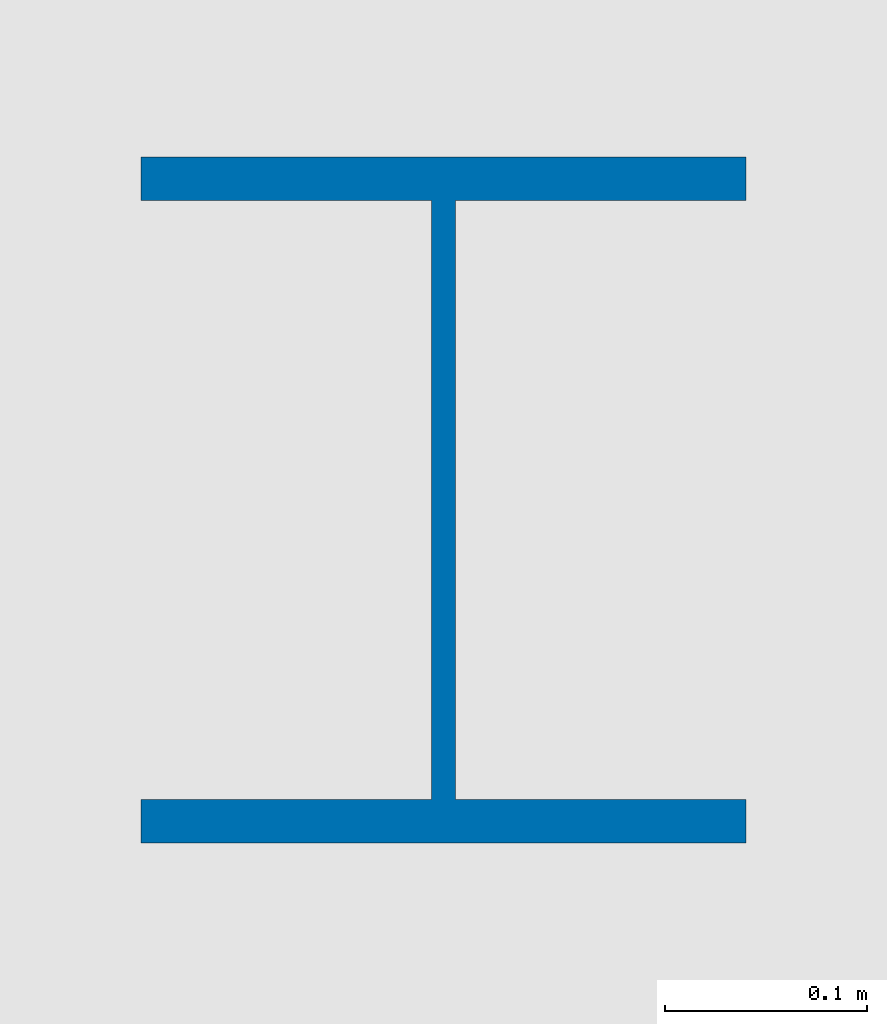
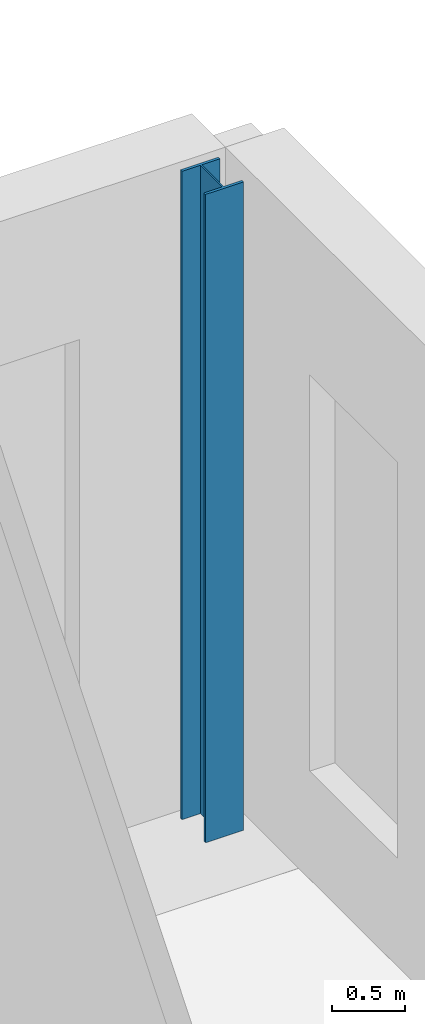
# One storey, part 48 of 132: 1 column.
"""IFC4 building model written with IfcOpenShell, lengths in metres."""

from ifc_helpers import new_model, si_unit, direction, frame, origin, origin_2d, place, context, subcontext, project, spatial, i_section, extrude, material, material_profile, profile_set, type_object, element, save


model = new_model("IFC4")

# Units and contexts
model_context = context("Model", 3, precision=1e-05, world=origin(), true_north=direction((0.0, 1.0)))
body_context = subcontext(model_context, "Body", "Model", "MODEL_VIEW")
ifc_project = project(units=[si_unit("LENGTHUNIT", "METRE"), si_unit("AREAUNIT", "SQUARE_METRE"), si_unit("VOLUMEUNIT", "CUBIC_METRE"), si_unit("PLANEANGLEUNIT", "RADIAN"), si_unit("MASSUNIT", "GRAM", prefix="KILO")], contexts=[model_context])

# Site, building, storey
site_placement = place(None, origin())
site = spatial("IfcSite", under=ifc_project, at=site_placement, CompositionType="ELEMENT")
building_placement = place(site_placement, origin())
building = spatial("IfcBuilding", under=site, at=building_placement, Name="Ravi Spectrum Wholesale Market", CompositionType="ELEMENT")
storey_placement = place(building_placement, origin())
storey = spatial("IfcBuildingStorey", under=building, at=storey_placement, Name="L00", CompositionType="ELEMENT", Elevation=0.0)

# Column
ifc_material = material(Name="Steel S355", Category="steel")
ifc_material_profile = material_profile(ifc_material, i_section(OverallWidth=0.300048828125, OverallDepth=0.340087890625, WebThickness=0.011962890625, FlangeThickness=0.021484375, at=origin_2d()))
ifc_profile_set = profile_set([ifc_material_profile], Name="Steel S355")
column_type = type_object("IfcColumnType", Name="HEB 340 column", PredefinedType="COLUMN", material=ifc_profile_set)
column_placement = place(storey_placement, frame((198.0, 234.0, 0.0), z_axis=(0.0, 0.0, 1.0), x_axis=(1.0, 0.0, 0.0)))
element("IfcColumn", 1, at=column_placement, inside=storey, type_object=column_type, Name="AU-COL-L00-014", PredefinedType="COLUMN", context=body_context, shape_type="SweptSolid", body=[
    extrude(i_section(OverallWidth=0.300048828125, OverallDepth=0.340087890625, WebThickness=0.011962890625, FlangeThickness=0.021484375, at=origin_2d()), origin(), (0.0, 0.0, 1.0), 5.39990234375),
])

save(model, "model.ifc")
